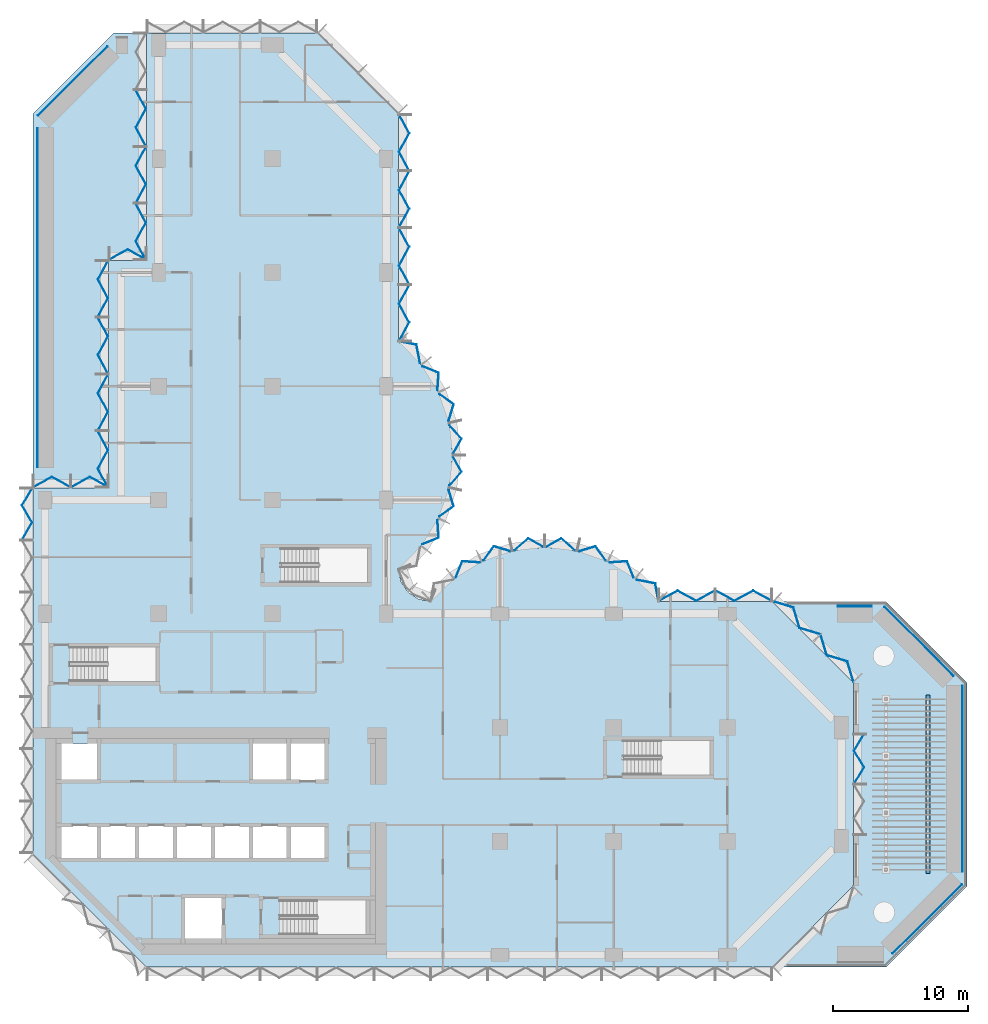
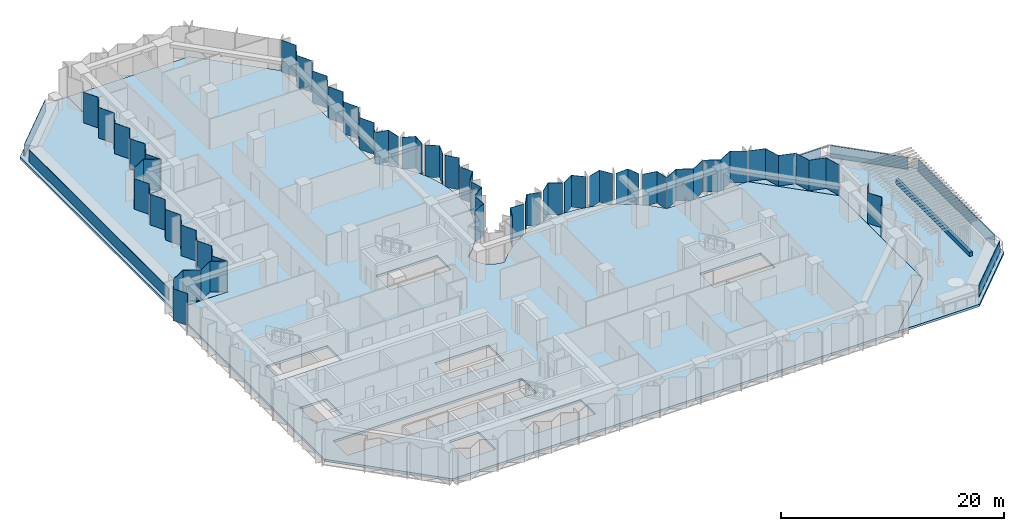
# One storey, part 8 of 18: 40 plates, 4 slabs, 11 elements without a shape of their own.
"""IFC4 building model written with IfcOpenShell, lengths in metres."""

from ifc_helpers import new_model, si_unit, direction, frame, origin, place, context, subcontext, project, spatial, polyline, outline, extrude, material, layer, layer_set, type_object, element, aggregate, save


model = new_model("IFC4")

# Units and contexts
model_context = context("Model", 3, precision=1e-05, world=origin(), true_north=direction((0.0, 1.0)))
body_context = subcontext(model_context, "Body", "Model", "MODEL_VIEW")
ifc_project = project(units=[si_unit("LENGTHUNIT", "METRE"), si_unit("AREAUNIT", "SQUARE_METRE"), si_unit("VOLUMEUNIT", "CUBIC_METRE"), si_unit("PLANEANGLEUNIT", "RADIAN"), si_unit("MASSUNIT", "GRAM", prefix="KILO")], contexts=[model_context])

# Site, building, storey
site_placement = place(None, origin())
site = spatial("IfcSite", under=ifc_project, at=site_placement, CompositionType="ELEMENT")
building_placement = place(site_placement, origin())
building = spatial("IfcBuilding", under=site, at=building_placement, Name="Brevane Broadcast Tower", CompositionType="ELEMENT")
storey_placement = place(building_placement, frame((0.0, 0.0, 134.89990234375)))
storey = spatial("IfcBuildingStorey", under=building, at=storey_placement, Name="L33", CompositionType="ELEMENT", Elevation=134.89990234375)

# Curtain wall, plate
ifc_material_1 = material(Name="Aluminium 6063-T6 bronze anodised", Category="aluminium")
curtain_wall_type = type_object("IfcCurtainWallType", Name="CW-1 curtain wall", PredefinedType="NOTDEFINED", material=ifc_material_1)
curtain_wall_1_placement = place(storey_placement, origin())
curtain_wall_1 = element("IfcCurtainWall", 1, at=curtain_wall_1_placement, inside=storey, type_object=curtain_wall_type, Name="CW-1 typical tilted unit L33 east end", PredefinedType="NOTDEFINED")
ifc_material_2 = material(Name="Laminated glass bronze-tinted", Category="glass")
ifc_layer_1 = layer(ifc_material_2, 0.0400390625)
ifc_layer_set_1 = layer_set([ifc_layer_1], Name="CW tall glass panel 40")
plate_type_1 = type_object("IfcPlateType", Name="CW tall glass panel 40", PredefinedType="CURTAIN_PANEL", material=ifc_layer_set_1)
plate_1_placement = place(storey_placement, frame((0.0, 0.0, -0.14990234375)))
plate_1 = element("IfcPlate", 2, at=plate_1_placement, type_object=plate_type_1, Name="CW-1 glass panel", PredefinedType="CURTAIN_PANEL", context=body_context, shape_type="SweptSolid", body=[
    extrude(outline(polyline([(59.7265625, 12.635009765625), (59.7734375, 12.635009765625), (60.517822265625, 13.86181640625), (59.7734375, 15.08837890625), (60.517822265625, 16.31494140625), (60.470947265625, 16.31494140625), (59.7265625, 15.08837890625), (60.470947265625, 13.86181640625), (59.7265625, 12.635009765625)])), origin(), (0.0, 0.0, 1.0), 3.5),
])
aggregate(curtain_wall_1, [plate_1])

# Curtain wall, plates
curtain_wall_2_placement = place(storey_placement, origin())
curtain_wall_2 = element("IfcCurtainWall", 3, at=curtain_wall_2_placement, inside=storey, type_object=curtain_wall_type, Name="CW-1 typical tilted unit L33 north-east chamfer", PredefinedType="NOTDEFINED")
plate_2_placement = place(storey_placement, frame((0.0, 0.0, -0.14990234375)))
plate_2 = element("IfcPlate", 4, at=plate_2_placement, type_object=plate_type_1, Name="CW-1 glass panel", PredefinedType="CURTAIN_PANEL", context=body_context, shape_type="SweptSolid", body=[
    extrude(outline(polyline([(59.694580078125, 20.14404296875), (59.7265625, 20.176025390625), (59.26953125, 21.68603515625), (57.759521484375, 22.14306640625), (57.302490234375, 23.653076171875), (57.2705078125, 23.620849609375), (57.7275390625, 22.111083984375), (59.2373046875, 21.65380859375), (59.694580078125, 20.14404296875)])), origin(), (0.0, 0.0, 1.0), 3.5),
])
plate_3_placement = place(storey_placement, frame((0.0, 0.0, -0.14990234375)))
plate_3 = element("IfcPlate", 5, at=plate_3_placement, type_object=plate_type_1, Name="CW-1 glass panel", PredefinedType="CURTAIN_PANEL", context=body_context, shape_type="SweptSolid", body=[
    extrude(outline(polyline([(57.220947265625, 23.67041015625), (57.2529296875, 23.702392578125), (55.7431640625, 24.15966796875), (55.285888671875, 25.66943359375), (53.776123046875, 26.126708984375), (53.744140625, 26.094482421875), (55.25390625, 25.637451171875), (55.711181640625, 24.127685546875), (57.220947265625, 23.67041015625)])), origin(), (0.0, 0.0, 1.0), 3.5),
])
aggregate(curtain_wall_2, [plate_2, plate_3])

curtain_wall_3_placement = place(storey_placement, origin())
curtain_wall_3 = element("IfcCurtainWall", 6, at=curtain_wall_3_placement, inside=storey, type_object=curtain_wall_type, Name="CW-1 typical tilted unit L33 east arm north face", PredefinedType="NOTDEFINED")
plate_4_placement = place(storey_placement, frame((0.0, 0.0, -0.14990234375)))
plate_4 = element("IfcPlate", 7, at=plate_4_placement, type_object=plate_type_1, Name="CW-1 glass panel", PredefinedType="CURTAIN_PANEL", context=body_context, shape_type="SweptSolid", body=[
    extrude(outline(polyline([(53.6650390625, 26.127197265625), (53.6650390625, 26.172607421875), (52.288330078125, 26.9169921875), (50.91162109375, 26.172607421875), (49.534912109375, 26.9169921875), (49.534912109375, 26.87158203125), (50.91162109375, 26.127197265625), (52.288330078125, 26.87158203125), (53.6650390625, 26.127197265625)])), origin(), (0.0, 0.0, 1.0), 3.5),
])
plate_5_placement = place(storey_placement, frame((0.0, 0.0, -0.14990234375)))
plate_5 = element("IfcPlate", 8, at=plate_5_placement, type_object=plate_type_1, Name="CW-1 glass panel", PredefinedType="CURTAIN_PANEL", context=body_context, shape_type="SweptSolid", body=[
    extrude(outline(polyline([(49.465087890625, 26.87158203125), (49.465087890625, 26.9169921875), (48.08837890625, 26.172607421875), (46.711669921875, 26.9169921875), (45.3349609375, 26.172607421875), (45.3349609375, 26.127197265625), (46.711669921875, 26.87158203125), (48.08837890625, 26.127197265625), (49.465087890625, 26.87158203125)])), origin(), (0.0, 0.0, 1.0), 3.5),
])
aggregate(curtain_wall_3, [plate_4, plate_5])

curtain_wall_4_placement = place(storey_placement, origin())
curtain_wall_4 = element("IfcCurtainWall", 9, at=curtain_wall_4_placement, inside=storey, type_object=curtain_wall_type, Name="CW-1 typical tilted unit L33 east bow", PredefinedType="NOTDEFINED")
plate_6_placement = place(storey_placement, frame((0.0, 0.0, -0.14990234375)))
plate_6 = element("IfcPlate", 10, at=plate_6_placement, type_object=plate_type_1, Name="CW-1 glass panel", PredefinedType="CURTAIN_PANEL", context=body_context, shape_type="SweptSolid", body=[
    extrude(outline(polyline([(45.2939453125, 26.14404296875), (45.327880859375, 26.17919921875), (45.086181640625, 27.447265625), (43.738525390625, 27.71142578125), (43.7109375, 27.67626953125), (45.052001953125, 27.4130859375), (45.2939453125, 26.14404296875)])), origin(), (0.0, 0.0, 1.0), 3.5),
])
plate_7_placement = place(storey_placement, frame((0.0, 0.0, -0.14990234375)))
plate_7 = element("IfcPlate", 11, at=plate_7_placement, type_object=plate_type_1, Name="CW-1 glass panel", PredefinedType="CURTAIN_PANEL", context=body_context, shape_type="SweptSolid", body=[
    extrude(outline(polyline([(43.45703125, 27.8759765625), (43.4853515625, 27.912109375), (43.00390625, 29.089111328125), (41.710693359375, 29.006591796875), (41.69091796875, 28.96533203125), (42.977783203125, 29.04736328125), (43.45703125, 27.8759765625)])), origin(), (0.0, 0.0, 1.0), 3.5),
])
plate_8_placement = place(storey_placement, frame((0.0, 0.0, -0.14990234375)))
plate_8 = element("IfcPlate", 12, at=plate_8_placement, type_object=plate_type_1, Name="CW-1 glass panel", PredefinedType="CURTAIN_PANEL", context=body_context, shape_type="SweptSolid", body=[
    extrude(outline(polyline([(41.3994140625, 29.104248046875), (41.4189453125, 29.1455078125), (40.667724609375, 30.20166015625), (39.45068359375, 29.83349609375), (39.440185546875, 29.78857421875), (40.65185546875, 30.155029296875), (41.3994140625, 29.104248046875)])), origin(), (0.0, 0.0, 1.0), 3.5),
])
plate_9_placement = place(storey_placement, frame((0.0, 0.0, -0.14990234375)))
plate_9 = element("IfcPlate", 13, at=plate_9_placement, type_object=plate_type_1, Name="CW-1 glass panel", PredefinedType="CURTAIN_PANEL", context=body_context, shape_type="SweptSolid", body=[
    extrude(outline(polyline([(39.125, 29.859619140625), (39.13525390625, 29.903564453125), (38.116943359375, 30.779296875), (37.008056640625, 30.15869140625), (37.008056640625, 30.11279296875), (38.112060546875, 30.730712890625), (39.125, 29.859619140625)])), origin(), (0.0, 0.0, 1.0), 3.5),
])
plate_10_placement = place(storey_placement, frame((0.0, 0.0, -0.14990234375)))
plate_10 = element("IfcPlate", 14, at=plate_10_placement, type_object=plate_type_1, Name="CW-1 glass panel", PredefinedType="CURTAIN_PANEL", context=body_context, shape_type="SweptSolid", body=[
    extrude(outline(polyline([(36.7919921875, 30.11279296875), (36.7919921875, 30.15869140625), (35.68310546875, 30.779296875), (34.664794921875, 29.903564453125), (34.6748046875, 29.859619140625), (35.68798828125, 30.730712890625), (36.7919921875, 30.11279296875)])), origin(), (0.0, 0.0, 1.0), 3.5),
])
plate_11_placement = place(storey_placement, frame((0.0, 0.0, -0.14990234375)))
plate_11 = element("IfcPlate", 15, at=plate_11_placement, type_object=plate_type_1, Name="CW-1 glass panel", PredefinedType="CURTAIN_PANEL", context=body_context, shape_type="SweptSolid", body=[
    extrude(outline(polyline([(34.359619140625, 29.78857421875), (34.349365234375, 29.83349609375), (33.132080078125, 30.20166015625), (32.381103515625, 29.1455078125), (32.400634765625, 29.104248046875), (33.148193359375, 30.155029296875), (34.359619140625, 29.78857421875)])), origin(), (0.0, 0.0, 1.0), 3.5),
])
plate_12_placement = place(storey_placement, frame((0.0, 0.0, -0.14990234375)))
plate_12 = element("IfcPlate", 16, at=plate_12_placement, type_object=plate_type_1, Name="CW-1 glass panel", PredefinedType="CURTAIN_PANEL", context=body_context, shape_type="SweptSolid", body=[
    extrude(outline(polyline([(32.10888671875, 28.96533203125), (32.08935546875, 29.006591796875), (30.7958984375, 29.089111328125), (30.314697265625, 27.912109375), (30.343017578125, 27.8759765625), (30.822265625, 29.04736328125), (32.10888671875, 28.96533203125)])), origin(), (0.0, 0.0, 1.0), 3.5),
])
aggregate(curtain_wall_4, [plate_6, plate_7, plate_8, plate_9, plate_10, plate_11, plate_12])

curtain_wall_5_placement = place(storey_placement, origin())
curtain_wall_5 = element("IfcCurtainWall", 17, at=curtain_wall_5_placement, inside=storey, type_object=curtain_wall_type, Name="CW-1 typical tilted unit L33 north bow", PredefinedType="NOTDEFINED")
plate_13_placement = place(storey_placement, frame((0.0, 0.0, -0.14990234375)))
plate_13 = element("IfcPlate", 18, at=plate_13_placement, type_object=plate_type_1, Name="CW-1 glass panel", PredefinedType="CURTAIN_PANEL", context=body_context, shape_type="SweptSolid", body=[
    extrude(outline(polyline([(27.8759765625, 30.343017578125), (27.912109375, 30.314697265625), (29.089111328125, 30.7958984375), (29.006591796875, 32.08935546875), (28.96533203125, 32.10888671875), (29.04736328125, 30.822265625), (27.8759765625, 30.343017578125)])), origin(), (0.0, 0.0, 1.0), 3.5),
])
plate_14_placement = place(storey_placement, frame((0.0, 0.0, -0.14990234375)))
plate_14 = element("IfcPlate", 19, at=plate_14_placement, type_object=plate_type_1, Name="CW-1 glass panel", PredefinedType="CURTAIN_PANEL", context=body_context, shape_type="SweptSolid", body=[
    extrude(outline(polyline([(29.104248046875, 32.400634765625), (29.1455078125, 32.381103515625), (30.20166015625, 33.132080078125), (29.83349609375, 34.349365234375), (29.78857421875, 34.359619140625), (30.155029296875, 33.148193359375), (29.104248046875, 32.400634765625)])), origin(), (0.0, 0.0, 1.0), 3.5),
])
plate_15_placement = place(storey_placement, frame((0.0, 0.0, -0.14990234375)))
plate_15 = element("IfcPlate", 20, at=plate_15_placement, type_object=plate_type_1, Name="CW-1 glass panel", PredefinedType="CURTAIN_PANEL", context=body_context, shape_type="SweptSolid", body=[
    extrude(outline(polyline([(29.859619140625, 34.6748046875), (29.903564453125, 34.664794921875), (30.779296875, 35.68310546875), (30.15869140625, 36.7919921875), (30.11279296875, 36.7919921875), (30.730712890625, 35.68798828125), (29.859619140625, 34.6748046875)])), origin(), (0.0, 0.0, 1.0), 3.5),
])
plate_16_placement = place(storey_placement, frame((0.0, 0.0, -0.14990234375)))
plate_16 = element("IfcPlate", 21, at=plate_16_placement, type_object=plate_type_1, Name="CW-1 glass panel", PredefinedType="CURTAIN_PANEL", context=body_context, shape_type="SweptSolid", body=[
    extrude(outline(polyline([(30.11279296875, 37.008056640625), (30.15869140625, 37.008056640625), (30.779296875, 38.116943359375), (29.903564453125, 39.13525390625), (29.859619140625, 39.125), (30.730712890625, 38.112060546875), (30.11279296875, 37.008056640625)])), origin(), (0.0, 0.0, 1.0), 3.5),
])
plate_17_placement = place(storey_placement, frame((0.0, 0.0, -0.14990234375)))
plate_17 = element("IfcPlate", 22, at=plate_17_placement, type_object=plate_type_1, Name="CW-1 glass panel", PredefinedType="CURTAIN_PANEL", context=body_context, shape_type="SweptSolid", body=[
    extrude(outline(polyline([(29.78857421875, 39.440185546875), (29.83349609375, 39.45068359375), (30.20166015625, 40.667724609375), (29.1455078125, 41.4189453125), (29.104248046875, 41.3994140625), (30.155029296875, 40.65185546875), (29.78857421875, 39.440185546875)])), origin(), (0.0, 0.0, 1.0), 3.5),
])
plate_18_placement = place(storey_placement, frame((0.0, 0.0, -0.14990234375)))
plate_18 = element("IfcPlate", 23, at=plate_18_placement, type_object=plate_type_1, Name="CW-1 glass panel", PredefinedType="CURTAIN_PANEL", context=body_context, shape_type="SweptSolid", body=[
    extrude(outline(polyline([(28.96533203125, 41.69091796875), (29.006591796875, 41.710693359375), (29.089111328125, 43.00390625), (27.912109375, 43.4853515625), (27.8759765625, 43.45703125), (29.04736328125, 42.977783203125), (28.96533203125, 41.69091796875)])), origin(), (0.0, 0.0, 1.0), 3.5),
])
plate_19_placement = place(storey_placement, frame((0.0, 0.0, -0.14990234375)))
plate_19 = element("IfcPlate", 24, at=plate_19_placement, type_object=plate_type_1, Name="CW-1 glass panel", PredefinedType="CURTAIN_PANEL", context=body_context, shape_type="SweptSolid", body=[
    extrude(outline(polyline([(27.67626953125, 43.7109375), (27.71142578125, 43.738525390625), (27.447265625, 45.086181640625), (26.17919921875, 45.327880859375), (26.14404296875, 45.2939453125), (27.4130859375, 45.052001953125), (27.67626953125, 43.7109375)])), origin(), (0.0, 0.0, 1.0), 3.5),
])
aggregate(curtain_wall_5, [plate_13, plate_14, plate_15, plate_16, plate_17, plate_18, plate_19])

curtain_wall_6_placement = place(storey_placement, origin())
curtain_wall_6 = element("IfcCurtainWall", 25, at=curtain_wall_6_placement, inside=storey, type_object=curtain_wall_type, Name="CW-1 typical tilted unit L33 north arm east face", PredefinedType="NOTDEFINED")
plate_20_placement = place(storey_placement, frame((0.0, 0.0, -0.14990234375)))
plate_20 = element("IfcPlate", 26, at=plate_20_placement, type_object=plate_type_1, Name="CW-1 glass panel", PredefinedType="CURTAIN_PANEL", context=body_context, shape_type="SweptSolid", body=[
    extrude(outline(polyline([(26.127197265625, 45.3349609375), (26.172607421875, 45.3349609375), (26.9169921875, 46.711669921875), (26.172607421875, 48.08837890625), (26.9169921875, 49.465087890625), (26.87158203125, 49.465087890625), (26.127197265625, 48.08837890625), (26.87158203125, 46.711669921875), (26.127197265625, 45.3349609375)])), origin(), (0.0, 0.0, 1.0), 3.5),
])
plate_21_placement = place(storey_placement, frame((0.0, 0.0, -0.14990234375)))
plate_21 = element("IfcPlate", 27, at=plate_21_placement, type_object=plate_type_1, Name="CW-1 glass panel", PredefinedType="CURTAIN_PANEL", context=body_context, shape_type="SweptSolid", body=[
    extrude(outline(polyline([(26.87158203125, 49.534912109375), (26.9169921875, 49.534912109375), (26.172607421875, 50.91162109375), (26.9169921875, 52.288330078125), (26.172607421875, 53.6650390625), (26.127197265625, 53.6650390625), (26.87158203125, 52.288330078125), (26.127197265625, 50.91162109375), (26.87158203125, 49.534912109375)])), origin(), (0.0, 0.0, 1.0), 3.5),
])
plate_22_placement = place(storey_placement, frame((0.0, 0.0, -0.14990234375)))
plate_22 = element("IfcPlate", 28, at=plate_22_placement, type_object=plate_type_1, Name="CW-1 glass panel", PredefinedType="CURTAIN_PANEL", context=body_context, shape_type="SweptSolid", body=[
    extrude(outline(polyline([(26.127197265625, 53.735107421875), (26.172607421875, 53.735107421875), (26.9169921875, 55.11181640625), (26.172607421875, 56.48828125), (26.9169921875, 57.864990234375), (26.87158203125, 57.864990234375), (26.127197265625, 56.48828125), (26.87158203125, 55.11181640625), (26.127197265625, 53.735107421875)])), origin(), (0.0, 0.0, 1.0), 3.5),
])
plate_23_placement = place(storey_placement, frame((0.0, 0.0, -0.14990234375)))
plate_23 = element("IfcPlate", 29, at=plate_23_placement, type_object=plate_type_1, Name="CW-1 glass panel", PredefinedType="CURTAIN_PANEL", context=body_context, shape_type="SweptSolid", body=[
    extrude(outline(polyline([(26.87158203125, 57.93505859375), (26.9169921875, 57.93505859375), (26.172607421875, 59.311767578125), (26.9169921875, 60.688232421875), (26.172607421875, 62.06494140625), (26.127197265625, 62.06494140625), (26.87158203125, 60.688232421875), (26.127197265625, 59.311767578125), (26.87158203125, 57.93505859375)])), origin(), (0.0, 0.0, 1.0), 3.5),
])
aggregate(curtain_wall_6, [plate_20, plate_21, plate_22, plate_23])

curtain_wall_7_placement = place(storey_placement, origin())
curtain_wall_7 = element("IfcCurtainWall", 30, at=curtain_wall_7_placement, inside=storey, type_object=curtain_wall_type, Name="CW-1 typical tilted unit L33 north wing west face above the set-back", PredefinedType="NOTDEFINED")
plate_24_placement = place(storey_placement, frame((0.0, 0.0, -0.14990234375)))
plate_24 = element("IfcPlate", 31, at=plate_24_placement, type_object=plate_type_1, Name="CW-1 glass panel", PredefinedType="CURTAIN_PANEL", context=body_context, shape_type="SweptSolid", body=[
    extrude(outline(polyline([(6.728271484375, 63.864990234375), (6.682861328125, 63.864990234375), (7.42724609375, 62.48828125), (6.682861328125, 61.11181640625), (7.42724609375, 59.735107421875), (7.47265625, 59.735107421875), (6.728271484375, 61.11181640625), (7.47265625, 62.48828125), (6.728271484375, 63.864990234375)])), origin(), (0.0, 0.0, 1.0), 3.5),
])
plate_25_placement = place(storey_placement, frame((0.0, 0.0, -0.14990234375)))
plate_25 = element("IfcPlate", 32, at=plate_25_placement, type_object=plate_type_1, Name="CW-1 glass panel", PredefinedType="CURTAIN_PANEL", context=body_context, shape_type="SweptSolid", body=[
    extrude(outline(polyline([(7.47265625, 59.6650390625), (7.42724609375, 59.6650390625), (6.682861328125, 58.288330078125), (7.42724609375, 56.91162109375), (6.682861328125, 55.534912109375), (6.728271484375, 55.534912109375), (7.47265625, 56.91162109375), (6.728271484375, 58.288330078125), (7.47265625, 59.6650390625)])), origin(), (0.0, 0.0, 1.0), 3.5),
])
plate_26_placement = place(storey_placement, frame((0.0, 0.0, -0.14990234375)))
plate_26 = element("IfcPlate", 33, at=plate_26_placement, type_object=plate_type_1, Name="CW-1 glass panel", PredefinedType="CURTAIN_PANEL", context=body_context, shape_type="SweptSolid", body=[
    extrude(outline(polyline([(6.728271484375, 55.465087890625), (6.682861328125, 55.465087890625), (7.42724609375, 54.08837890625), (6.682861328125, 52.711669921875), (7.42724609375, 51.3349609375), (7.47265625, 51.3349609375), (6.728271484375, 52.711669921875), (7.47265625, 54.08837890625), (6.728271484375, 55.465087890625)])), origin(), (0.0, 0.0, 1.0), 3.5),
])
aggregate(curtain_wall_7, [plate_24, plate_25, plate_26])

# Curtain wall, plate
curtain_wall_8_placement = place(storey_placement, origin())
curtain_wall_8 = element("IfcCurtainWall", 34, at=curtain_wall_8_placement, inside=storey, type_object=curtain_wall_type, Name="CW-1 typical tilted unit L33 north wing west return", PredefinedType="NOTDEFINED")
plate_27_placement = place(storey_placement, frame((0.0, 0.0, -0.14990234375)))
plate_27 = element("IfcPlate", 35, at=plate_27_placement, type_object=plate_type_1, Name="CW-1 glass panel", PredefinedType="CURTAIN_PANEL", context=body_context, shape_type="SweptSolid", body=[
    extrude(outline(polyline([(7.465087890625, 51.3271484375), (7.465087890625, 51.372802734375), (6.10009765625, 52.1171875), (4.735107421875, 51.372802734375), (4.735107421875, 51.3271484375), (6.10009765625, 52.071533203125), (7.465087890625, 51.3271484375)])), origin(), (0.0, 0.0, 1.0), 3.5),
])
aggregate(curtain_wall_8, [plate_27])

# Curtain wall, plates
curtain_wall_9_placement = place(storey_placement, origin())
curtain_wall_9 = element("IfcCurtainWall", 36, at=curtain_wall_9_placement, inside=storey, type_object=curtain_wall_type, Name="CW-1 typical tilted unit L33 north wing west face, lower block", PredefinedType="NOTDEFINED")
plate_28_placement = place(storey_placement, frame((0.0, 0.0, -0.14990234375)))
plate_28 = element("IfcPlate", 37, at=plate_28_placement, type_object=plate_type_1, Name="CW-1 glass panel", PredefinedType="CURTAIN_PANEL", context=body_context, shape_type="SweptSolid", body=[
    extrude(outline(polyline([(4.672607421875, 51.264892578125), (4.627197265625, 51.264892578125), (3.8828125, 49.88818359375), (4.627197265625, 48.51171875), (3.8828125, 47.135009765625), (3.92822265625, 47.135009765625), (4.672607421875, 48.51171875), (3.92822265625, 49.88818359375), (4.672607421875, 51.264892578125)])), origin(), (0.0, 0.0, 1.0), 3.5),
])
plate_29_placement = place(storey_placement, frame((0.0, 0.0, -0.14990234375)))
plate_29 = element("IfcPlate", 38, at=plate_29_placement, type_object=plate_type_1, Name="CW-1 glass panel", PredefinedType="CURTAIN_PANEL", context=body_context, shape_type="SweptSolid", body=[
    extrude(outline(polyline([(3.92822265625, 47.06494140625), (3.8828125, 47.06494140625), (4.627197265625, 45.688232421875), (3.8828125, 44.311767578125), (4.627197265625, 42.93505859375), (4.672607421875, 42.93505859375), (3.92822265625, 44.311767578125), (4.672607421875, 45.688232421875), (3.92822265625, 47.06494140625)])), origin(), (0.0, 0.0, 1.0), 3.5),
])
plate_30_placement = place(storey_placement, frame((0.0, 0.0, -0.14990234375)))
plate_30 = element("IfcPlate", 39, at=plate_30_placement, type_object=plate_type_1, Name="CW-1 glass panel", PredefinedType="CURTAIN_PANEL", context=body_context, shape_type="SweptSolid", body=[
    extrude(outline(polyline([(4.672607421875, 42.864990234375), (4.627197265625, 42.864990234375), (3.8828125, 41.48828125), (4.627197265625, 40.11181640625), (3.8828125, 38.735107421875), (3.92822265625, 38.735107421875), (4.672607421875, 40.11181640625), (3.92822265625, 41.48828125), (4.672607421875, 42.864990234375)])), origin(), (0.0, 0.0, 1.0), 3.5),
])
plate_31_placement = place(storey_placement, frame((0.0, 0.0, -0.14990234375)))
plate_31 = element("IfcPlate", 40, at=plate_31_placement, type_object=plate_type_1, Name="CW-1 glass panel", PredefinedType="CURTAIN_PANEL", context=body_context, shape_type="SweptSolid", body=[
    extrude(outline(polyline([(3.92822265625, 38.6650390625), (3.8828125, 38.6650390625), (4.627197265625, 37.288330078125), (3.8828125, 35.91162109375), (4.627197265625, 34.534912109375), (4.672607421875, 34.534912109375), (3.92822265625, 35.91162109375), (4.672607421875, 37.288330078125), (3.92822265625, 38.6650390625)])), origin(), (0.0, 0.0, 1.0), 3.5),
])
aggregate(curtain_wall_9, [plate_28, plate_29, plate_30, plate_31])

curtain_wall_10_placement = place(storey_placement, origin())
curtain_wall_10 = element("IfcCurtainWall", 41, at=curtain_wall_10_placement, inside=storey, type_object=curtain_wall_type, Name="CW-1 typical tilted unit L33 north wing west return, lower block", PredefinedType="NOTDEFINED")
plate_32_placement = place(storey_placement, frame((0.0, 0.0, -0.14990234375)))
plate_32 = element("IfcPlate", 42, at=plate_32_placement, type_object=plate_type_1, Name="CW-1 glass panel", PredefinedType="CURTAIN_PANEL", context=body_context, shape_type="SweptSolid", body=[
    extrude(outline(polyline([(4.6650390625, 34.527099609375), (4.6650390625, 34.57275390625), (3.300048828125, 35.317138671875), (1.93505859375, 34.57275390625), (1.93505859375, 34.527099609375), (3.300048828125, 35.271484375), (4.6650390625, 34.527099609375)])), origin(), (0.0, 0.0, 1.0), 3.5),
])
plate_33_placement = place(storey_placement, frame((0.0, 0.0, -0.14990234375)))
plate_33 = element("IfcPlate", 43, at=plate_33_placement, type_object=plate_type_1, Name="CW-1 glass panel", PredefinedType="CURTAIN_PANEL", context=body_context, shape_type="SweptSolid", body=[
    extrude(outline(polyline([(1.864990234375, 34.527099609375), (1.864990234375, 34.57275390625), (0.5, 35.317138671875), (-0.864990234375, 34.57275390625), (-0.864990234375, 34.527099609375), (0.5, 35.271484375), (1.864990234375, 34.527099609375)])), origin(), (0.0, 0.0, 1.0), 3.5),
])
aggregate(curtain_wall_10, [plate_32, plate_33])

# Curtain wall, plate
curtain_wall_11_placement = place(storey_placement, origin())
curtain_wall_11 = element("IfcCurtainWall", 44, at=curtain_wall_11_placement, inside=storey, type_object=curtain_wall_type, Name="CW-1 typical tilted unit L33 west face", PredefinedType="NOTDEFINED")
plate_34_placement = place(storey_placement, frame((0.0, 0.0, -0.14990234375)))
plate_34 = element("IfcPlate", 45, at=plate_34_placement, type_object=plate_type_1, Name="CW-1 glass panel", PredefinedType="CURTAIN_PANEL", context=body_context, shape_type="SweptSolid", body=[
    extrude(outline(polyline([(-0.9267578125, 34.465087890625), (-0.97314453125, 34.465087890625), (-1.717529296875, 33.20263671875), (-0.97314453125, 31.940185546875), (-1.717529296875, 30.677978515625), (-1.671142578125, 30.677978515625), (-0.9267578125, 31.940185546875), (-1.671142578125, 33.20263671875), (-0.9267578125, 34.465087890625)])), origin(), (0.0, 0.0, 1.0), 3.5),
])
aggregate(curtain_wall_11, [plate_34])

# Plates
ifc_material_3 = material(Name="Aluminium bronze anodised", Category="aluminium")
ifc_layer_2 = layer(ifc_material_3, 0.050048828125)
ifc_layer_set_2 = layer_set([ifc_layer_2], Name="Planter fascia plate 1300")
plate_type_2 = type_object("IfcPlateType", Name="Planter fascia plate 1300", PredefinedType="SHEET", material=ifc_layer_set_2)
plate_35_placement = place(storey_placement, frame((61.04638671875, 25.77490234375, 0.0), z_axis=(0.0, 1.0, 0.0), x_axis=(-1.0, 0.0, 0.0)))
element("IfcPlate", 46, at=plate_35_placement, inside=storey, type_object=plate_type_2, Name="Bed fascia L33-1", PredefinedType="SHEET", context=body_context, shape_type="SweptSolid", body=[
    extrude(outline(polyline([(0.0, 0.0), (2.509033203125, 0.0), (2.509033203125, 1.300048828125), (0.0, 1.300048828125), (0.0, 0.0)])), origin(), (0.0, 0.0, -1.0), 0.050048828125),
])
plate_36_placement = place(storey_placement, frame((62.615234375, 0.07470703125, 0.0), z_axis=(0.707106781187, -0.707106781187, 0.0), x_axis=(0.707106781187, 0.707106781187, 0.0)))
element("IfcPlate", 47, at=plate_36_placement, inside=storey, type_object=plate_type_2, Name="Bed fascia L33-3", PredefinedType="SHEET", context=body_context, shape_type="SweptSolid", body=[
    extrude(outline(polyline([(0.0, 0.0), (7.226783221199037, 0.0), (7.226783221199037, 1.3000488281250002), (0.0, 1.3000488281250002), (0.0, 0.0)])), origin(), (0.0, 0.0, -1.0), 0.050048828125),
])
plate_37_placement = place(storey_placement, frame((67.77490234375, 6.153564453125, 0.0), z_axis=(1.0, 0.0, 0.0), x_axis=(0.0, 1.0, 0.0)))
element("IfcPlate", 48, at=plate_37_placement, inside=storey, type_object=plate_type_2, Name="Bed fascia L33-4", PredefinedType="SHEET", context=body_context, shape_type="SweptSolid", body=[
    extrude(outline(polyline([(0.0, 0.0), (13.741455078125, 0.0), (13.741455078125, 1.300048828125), (0.0, 1.300048828125), (0.0, 0.0)])), origin(), (0.0, 0.0, -1.0), 0.050048828125),
])
plate_38_placement = place(storey_placement, frame((67.125244140625, 20.615234375, 0.0), z_axis=(0.707106781187, 0.707106781187, 0.0), x_axis=(-0.707106781187, 0.707106781187, 0.0)))
element("IfcPlate", 49, at=plate_38_placement, inside=storey, type_object=plate_type_2, Name="Bed fascia L33-5", PredefinedType="SHEET", context=body_context, shape_type="SweptSolid", body=[
    extrude(outline(polyline([(0.0, 0.0), (7.226783221199037, 0.0), (7.226783221199037, 1.3000488281250002), (0.0, 1.3000488281250002), (0.0, 0.0)])), origin(), (0.0, 0.0, -1.0), 0.050048828125),
])
plate_39_placement = place(storey_placement, frame((-0.574951171875, 61.04638671875, 0.0), z_axis=(-1.0, 0.0, 0.0), x_axis=(0.0, -1.0, 0.0)))
element("IfcPlate", 50, at=plate_39_placement, inside=storey, type_object=plate_type_2, Name="Bed fascia L33-1", PredefinedType="SHEET", context=body_context, shape_type="SweptSolid", body=[
    extrude(outline(polyline([(0.0, 0.0), (25.041015625, 0.0), (25.041015625, 1.300048828125), (0.0, 1.300048828125), (0.0, 0.0)])), origin(), (0.0, 0.0, -1.0), 0.050048828125),
])
plate_40_placement = place(storey_placement, frame((4.5849609375, 67.125244140625, 0.0), z_axis=(-0.707106781187, 0.707106781187, 0.0), x_axis=(-0.707106781187, -0.707106781187, 0.0)))
element("IfcPlate", 51, at=plate_40_placement, inside=storey, type_object=plate_type_2, Name="Bed fascia L33-3", PredefinedType="SHEET", context=body_context, shape_type="SweptSolid", body=[
    extrude(outline(polyline([(0.0, 0.0), (7.226783221199037, 0.0), (7.226783221199037, 1.3000488281250002), (0.0, 1.3000488281250002), (0.0, 0.0)])), origin(), (0.0, 0.0, -1.0), 0.050048828125),
])

# Slabs
ifc_material_4 = material(Name="Concrete C40/50", Category="concrete")
ifc_layer_3 = layer(ifc_material_4, 0.25)
ifc_layer_set_3 = layer_set([ifc_layer_3], Name="RC FLOOR SLAB 250 C40/50")
slab_type_1 = type_object("IfcSlabType", Name="RC FLOOR SLAB 250 C40/50", PredefinedType="FLOOR", material=ifc_layer_set_3)
slab_1_placement = place(storey_placement, frame((0.0, 0.0, -0.25)))
element("IfcSlab", 52, at=slab_1_placement, inside=storey, type_object=slab_type_1, Name="SL250 L33", PredefinedType="FLOOR", context=body_context, shape_type="SweptSolid", body=[
    extrude(outline(polyline([(-0.89990234375, 7.5), (-0.89990234375, 34.5), (4.699951171875, 34.5), (4.699951171875, 51.300048828125), (7.5, 51.300048828125), (7.5, 68.10009765625), (20.10009765625, 68.10009765625), (26.10009765625, 62.10009765625), (26.10009765625, 45.300048828125), (27.10888671875, 44.36865234375), (27.99169921875, 43.317138671875), (28.734130859375, 42.162353515625), (29.324462890625, 40.922607421875), (29.7529296875, 39.618408203125), (30.012939453125, 38.270263671875), (30.10009765625, 36.89990234375), (30.012939453125, 35.52978515625), (29.7529296875, 34.181640625), (29.324462890625, 32.877197265625), (28.734130859375, 31.6376953125), (27.99169921875, 30.48291015625), (27.10888671875, 29.431396484375), (26.10009765625, 28.5), (26.28271484375, 27.58154296875), (26.802978515625, 26.802978515625), (27.58154296875, 26.28271484375), (28.5, 26.10009765625), (29.431396484375, 27.10888671875), (30.48291015625, 27.99169921875), (31.6376953125, 28.734130859375), (32.877197265625, 29.324462890625), (34.181640625, 29.7529296875), (35.52978515625, 30.012939453125), (36.89990234375, 30.10009765625), (38.270263671875, 30.012939453125), (39.618408203125, 29.7529296875), (40.922607421875, 29.324462890625), (42.162353515625, 28.734130859375), (43.317138671875, 27.99169921875), (44.36865234375, 27.10888671875), (45.300048828125, 26.10009765625), (53.699951171875, 26.10009765625), (59.699951171875, 20.10009765625), (59.699951171875, 5.10009765625), (53.699951171875, -0.89990234375), (7.5, -0.89990234375), (-0.89990234375, 7.5)]), holes=[polyline([(13.199951171875, 4.39990234375), (10.199951171875, 4.39990234375), (10.199951171875, 1.199951171875), (13.199951171875, 1.199951171875), (13.199951171875, 4.39990234375)]), polyline([(4.0, 9.60009765625), (1.199951171875, 9.60009765625), (1.199951171875, 7.0), (4.0, 7.0), (6.800048828125, 7.0), (9.60009765625, 7.0), (12.39990234375, 7.0), (15.199951171875, 7.0), (18.0, 7.0), (20.800048828125, 7.0), (20.800048828125, 9.60009765625), (18.0, 9.60009765625), (15.199951171875, 9.60009765625), (12.39990234375, 9.60009765625), (9.60009765625, 9.60009765625), (6.800048828125, 9.60009765625), (4.0, 9.60009765625)]), polyline([(4.0, 12.800048828125), (4.0, 15.60009765625), (1.199951171875, 15.60009765625), (1.199951171875, 12.800048828125), (4.0, 12.800048828125)]), polyline([(8.199951171875, 22.75), (1.860107421875, 22.75), (1.860107421875, 20.199951171875), (8.199951171875, 20.199951171875), (8.199951171875, 22.75)]), polyline([(23.699951171875, 4.050048828125), (17.360107421875, 4.050048828125), (17.360107421875, 1.5), (23.699951171875, 1.5), (23.699951171875, 4.050048828125)]), polyline([(18.0, 15.60009765625), (15.199951171875, 15.60009765625), (15.199951171875, 12.800048828125), (18.0, 12.800048828125), (20.800048828125, 12.800048828125), (20.800048828125, 15.60009765625), (18.0, 15.60009765625)]), polyline([(49.10009765625, 15.85009765625), (42.760009765625, 15.85009765625), (42.760009765625, 13.300048828125), (49.10009765625, 13.300048828125), (49.10009765625, 15.85009765625)]), polyline([(23.800048828125, 30.050048828125), (17.4599609375, 30.050048828125), (17.4599609375, 27.5), (23.800048828125, 27.5), (23.800048828125, 30.050048828125)])]), origin(), (0.0, 0.0, 1.0), 0.25),
])
ifc_layer_4 = layer(ifc_material_4, 0.25)
ifc_layer_set_4 = layer_set([ifc_layer_4], Name="RC ROOF SLAB 250 C40/50")
slab_type_2 = type_object("IfcSlabType", Name="RC ROOF SLAB 250 C40/50", PredefinedType="ROOF", material=ifc_layer_set_4)
slab_2_placement = place(storey_placement, frame((0.0, 0.0, -0.25)))
element("IfcSlab", 53, at=slab_2_placement, inside=storey, type_object=slab_type_2, Name="SR250 L33", PredefinedType="ROOF", context=body_context, shape_type="SweptSolid", body=[
    extrude(outline(polyline([(68.10009765625, 5.10009765625), (62.10009765625, -0.89990234375), (53.699951171875, -0.89990234375), (59.699951171875, 5.10009765625), (59.699951171875, 20.10009765625), (53.699951171875, 26.10009765625), (62.10009765625, 26.10009765625), (68.10009765625, 20.10009765625), (68.10009765625, 5.10009765625)])), origin(), (0.0, 0.0, 1.0), 0.25),
])
slab_3_placement = place(storey_placement, frame((0.0, 0.0, -0.25)))
element("IfcSlab", 54, at=slab_3_placement, inside=storey, type_object=slab_type_2, Name="SR250 L33", PredefinedType="ROOF", context=body_context, shape_type="SweptSolid", body=[
    extrude(outline(polyline([(7.489990234375, 51.31005859375), (4.68994140625, 51.31005859375), (4.68994140625, 34.510009765625), (-0.89990234375, 34.510009765625), (-0.89990234375, 62.10009765625), (5.10009765625, 68.10009765625), (7.489990234375, 68.10009765625), (7.489990234375, 51.31005859375)])), origin(), (0.0, 0.0, 1.0), 0.25),
])
ifc_material_5 = material(Name="Concrete C30/37", Category="concrete")
ifc_layer_5 = layer(ifc_material_5, 0.449951171875)
ifc_layer_set_5 = layer_set([ifc_layer_5], Name="Sky garden trellis plinth 450")
slab_type_3 = type_object("IfcSlabType", Name="Sky garden trellis plinth 450", PredefinedType="USERDEFINED", material=ifc_layer_set_5)
slab_4_placement = place(storey_placement, origin())
element("IfcSlab", 55, at=slab_4_placement, inside=storey, type_object=slab_type_3, Name="Sky garden trellis slat kerb L33-1", ObjectType="PLINTH", PredefinedType="USERDEFINED", context=body_context, shape_type="SweptSolid", body=[
    extrude(outline(polyline([(65.050048828125, 6.0), (65.35009765625, 6.0), (65.35009765625, 19.199951171875), (65.050048828125, 19.199951171875), (65.050048828125, 6.0)])), origin(), (0.0, 0.0, 1.0), 0.4501953125),
])

save(model, "model.ifc")
